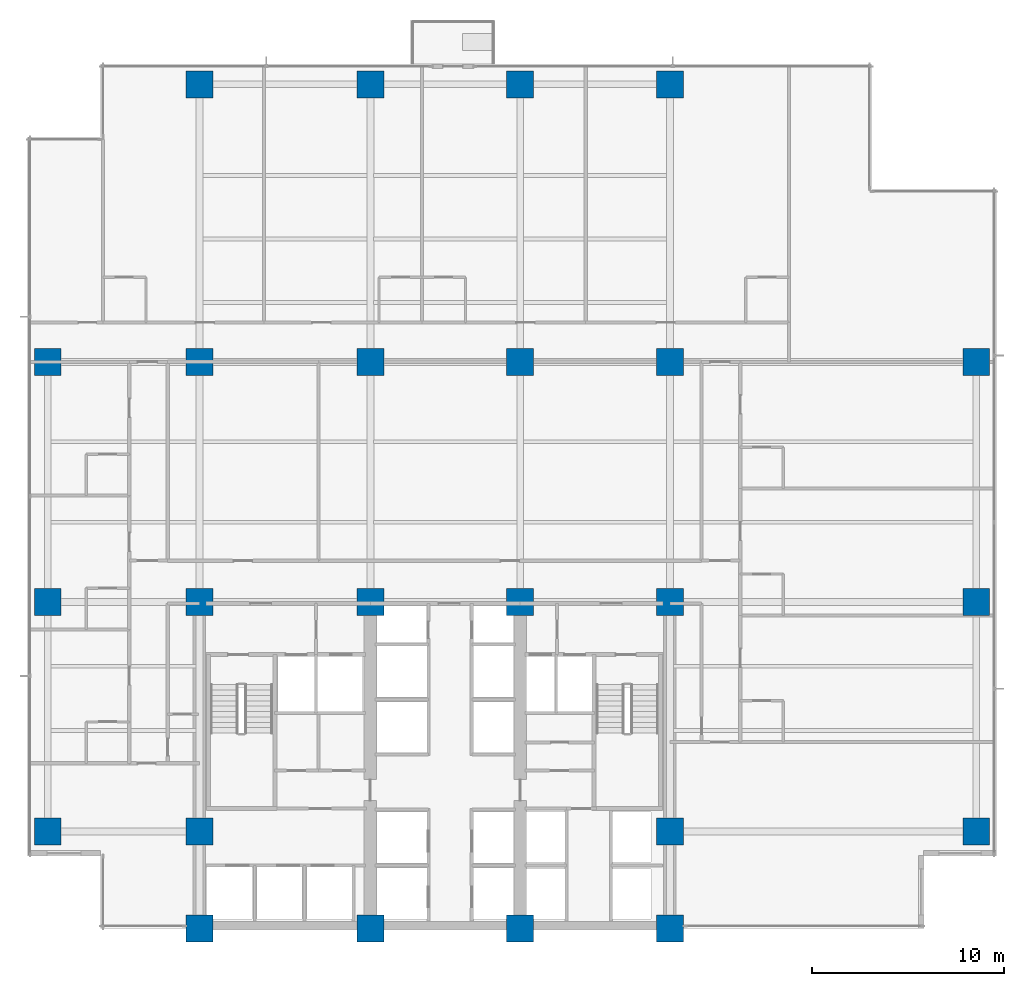
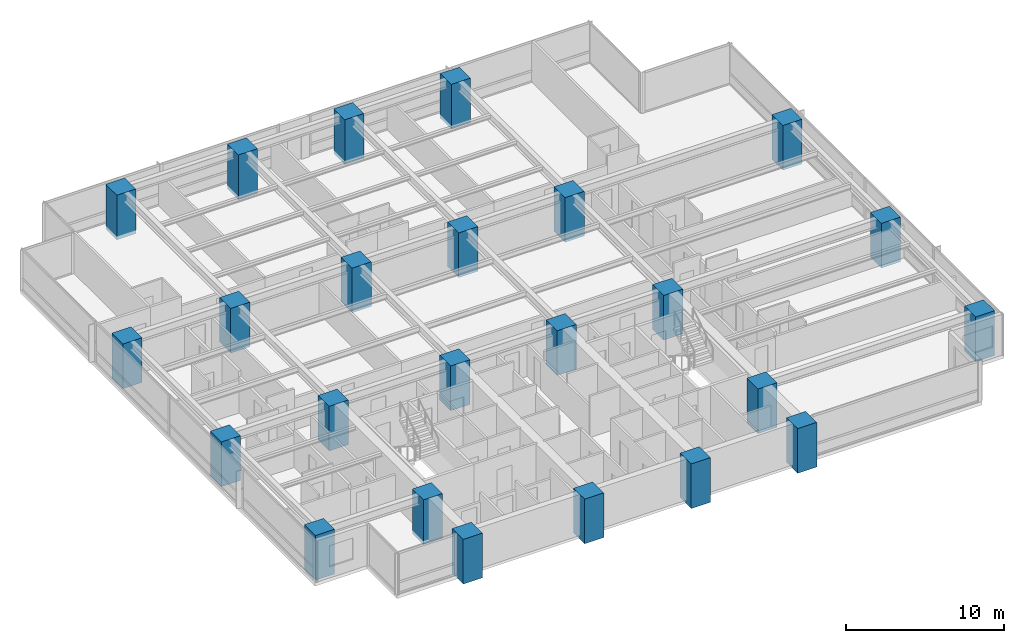
# One storey, part 1 of 16: 24 columns.
"""IFC4 building model written with IfcOpenShell, lengths in metres."""

from ifc_helpers import new_model, si_unit, direction, frame, origin, origin_2d, place, context, subcontext, project, spatial, rectangle, extrude, material, material_profile, profile_set, type_object, element, save


model = new_model("IFC4")

# Units and contexts
model_context = context("Model", 3, precision=1e-05, world=origin(), true_north=direction((0.0, 1.0)))
body_context = subcontext(model_context, "Body", "Model", "MODEL_VIEW")
ifc_project = project(units=[si_unit("LENGTHUNIT", "METRE"), si_unit("AREAUNIT", "SQUARE_METRE"), si_unit("VOLUMEUNIT", "CUBIC_METRE"), si_unit("PLANEANGLEUNIT", "RADIAN"), si_unit("MASSUNIT", "GRAM", prefix="KILO")], contexts=[model_context])

# Site, building, storey
site_placement = place(None, origin())
site = spatial("IfcSite", under=ifc_project, at=site_placement, CompositionType="ELEMENT")
building_placement = place(site_placement, origin())
building = spatial("IfcBuilding", under=site, at=building_placement, Name="Qalmaran Belvedere Hotel", CompositionType="ELEMENT")
storey_placement = place(building_placement, frame((0.0, 0.0, 71.89990234375)))
storey = spatial("IfcBuildingStorey", under=building, at=storey_placement, Name="L18", CompositionType="ELEMENT", Elevation=71.89990234375)

# Columns
ifc_material = material(Name="Concrete C60/75", Category="concrete")
ifc_material_profile = material_profile(ifc_material, rectangle(XDim=1.39990234375, YDim=1.39990234375, at=origin_2d()), Name="CC1400X1400")
ifc_profile_set = profile_set([ifc_material_profile], Name="Concrete C60/75")
column_type = type_object("IfcColumnType", Name="COL-Z1-CC1400", PredefinedType="COLUMN", material=ifc_profile_set)
for number, where, z_axis, x_axis, name in (
    (1, (20.300048828125, 3.5, -0.27978515625), (0.0, 0.0, 1.0), (1.0, 0.0, 0.0), "L18 Column C4B"),
    (2, (29.199951171875, 3.5, -0.27978515625), (0.0, 0.0, 1.0), (1.0, 0.0, 0.0), "L18 Column C5B"),
    (3, (37.0, 3.5, -0.27978515625), (0.0, 0.0, 1.0), (1.0, 0.0, 0.0), "L18 Column C6B"),
    (4, (44.800048828125, 3.5, -0.27978515625), (0.0, 0.0, 1.0), (1.0, 0.0, 0.0), "L18 Column C7B"),
    (5, (20.300048828125, 8.550048828125, -0.27978515625), (0.0, 0.0, 1.0), (1.0, 0.0, 0.0), "L18 Column C4C"),
    (6, (44.800048828125, 8.550048828125, -0.27978515625), (0.0, 0.0, 1.0), (1.0, 0.0, 0.0), "L18 Column C7C"),
    (7, (20.300048828125, 20.5, -0.27978515625), (0.0, 0.0, 1.0), (1.0, 0.0, 0.0), "L18 Column C4D"),
    (8, (29.199951171875, 20.5, -0.27978515625), (0.0, 0.0, 1.0), (1.0, 0.0, 0.0), "L18 Column C5D"),
    (9, (37.0, 20.5, -0.27978515625), (0.0, 0.0, 1.0), (1.0, 0.0, 0.0), "L18 Column C6D"),
    (10, (44.800048828125, 20.5, -0.27978515625), (0.0, 0.0, 1.0), (1.0, 0.0, 0.0), "L18 Column C7D"),
    (11, (20.300048828125, 33.0, -0.27978515625), (0.0, 0.0, 1.0), (1.0, 0.0, 0.0), "L18 Column C4F"),
    (12, (29.199951171875, 33.0, -0.27978515625), (0.0, 0.0, 1.0), (1.0, 0.0, 0.0), "L18 Column C5F"),
    (13, (37.0, 33.0, -0.27978515625), (0.0, 0.0, 1.0), (1.0, 0.0, 0.0), "L18 Column C6F"),
    (14, (44.800048828125, 33.0, -0.27978515625), (0.0, 0.0, 1.0), (1.0, 0.0, 0.0), "L18 Column C7F"),
    (15, (12.39990234375, 8.550048828125, -0.27978515625), (0.0, 0.0, 1.0), (1.0, 0.0, 0.0), "L18 Column CW1"),
    (16, (12.39990234375, 20.5, -0.27978515625), (0.0, 0.0, 1.0), (1.0, 0.0, 0.0), "L18 Column CW3"),
    (17, (12.39990234375, 33.0, -0.27978515625), (0.0, 0.0, 1.0), (1.0, 0.0, 0.0), "L18 Column CW4"),
    (18, (60.75, 8.550048828125, -0.27978515625), (0.0, 0.0, 1.0), (1.0, 0.0, 0.0), "L18 Column CE1"),
    (19, (60.75, 20.5, -0.27978515625), (0.0, 0.0, 1.0), (1.0, 0.0, 0.0), "L18 Column CE3"),
    (20, (60.75, 33.0, -0.27978515625), (0.0, 0.0, 1.0), (1.0, 0.0, 0.0), "L18 Column CE4"),
    (21, (20.300048828125, 47.449951171875, -0.27978515625), (0.0, 0.0, 1.0), (1.0, 0.0, 0.0), "L18 Column CN1"),
    (22, (29.199951171875, 47.449951171875, -0.27978515625), (0.0, 0.0, 1.0), (1.0, 0.0, 0.0), "L18 Column CN2"),
    (23, (37.0, 47.449951171875, -0.27978515625), (0.0, 0.0, 1.0), (1.0, 0.0, 0.0), "L18 Column CN3"),
    (24, (44.800048828125, 47.449951171875, -0.27978515625), (0.0, 0.0, 1.0), (1.0, 0.0, 0.0), "L18 Column CN4"),
):
    element("IfcColumn", number, at=place(storey_placement, frame(where, z_axis=z_axis, x_axis=x_axis)), inside=storey, type_object=column_type, Name=name, PredefinedType="COLUMN", context=body_context, shape_type="SweptSolid", body=[
        extrude(rectangle(XDim=1.39990234375, YDim=1.39990234375, at=origin_2d()), origin(), (0.0, 0.0, 1.0), 3.4599609375),
    ])

save(model, "model.ifc")
